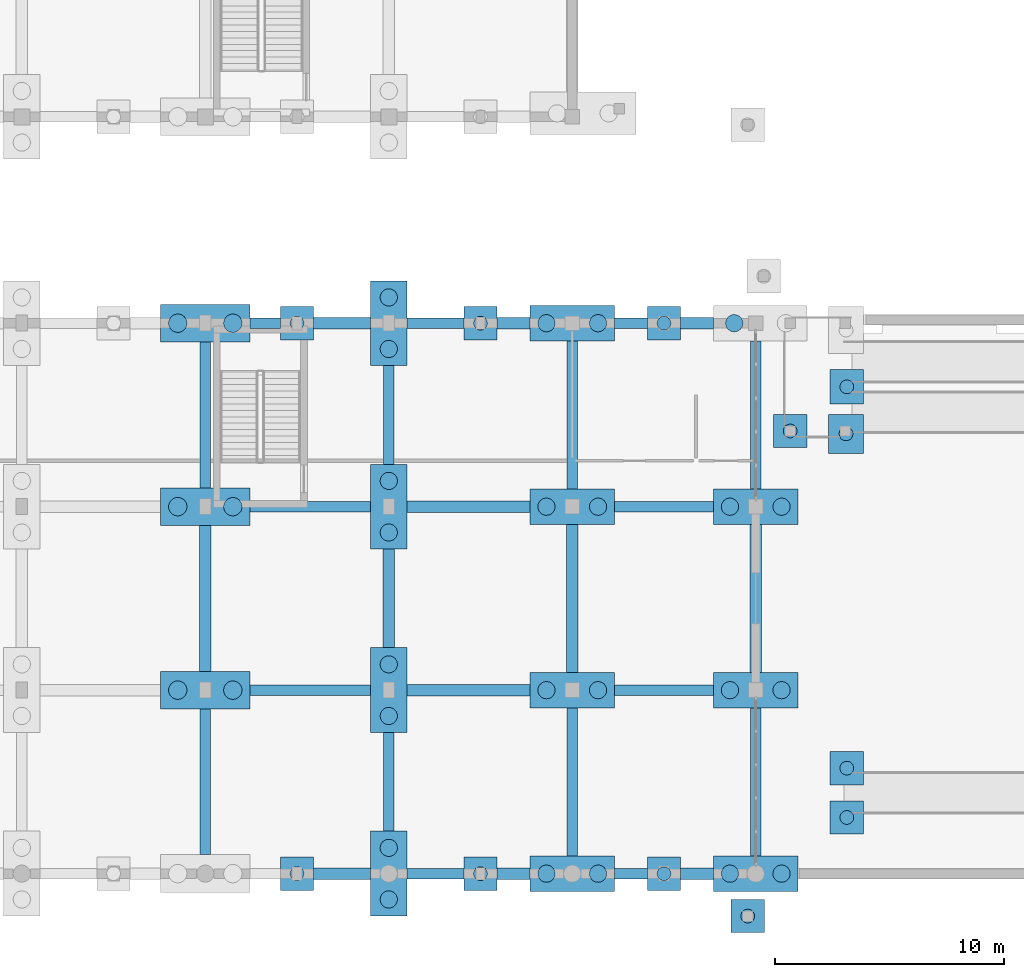
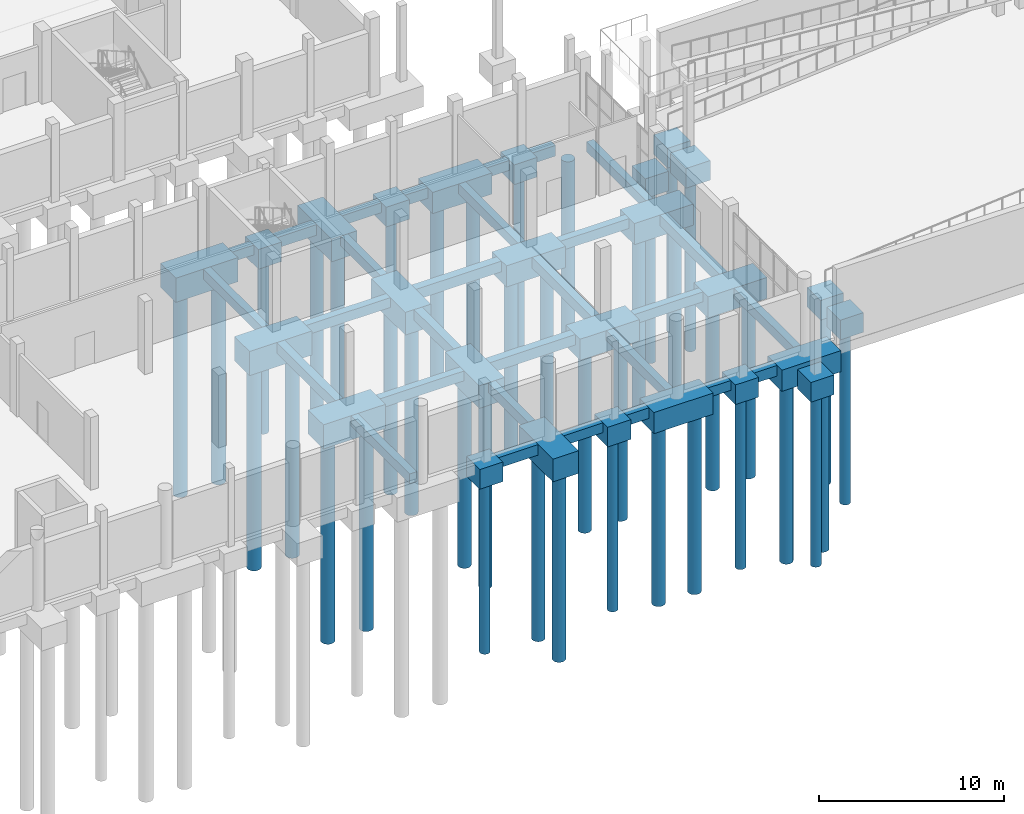
# One storey, part 2 of 52: 55 footings, 41 piles.
"""IFC4 building model written with IfcOpenShell, lengths in metres."""

from ifc_helpers import new_model, si_unit, direction, frame, origin, origin_2d, place, context, subcontext, project, spatial, polyline, rectangle, circle, outline, extrude, material, material_profile, profile_set, type_object, element, save


model = new_model("IFC4")

# Units and contexts
model_context = context("Model", 3, precision=1e-05, world=origin(), true_north=direction((0.0, 1.0)))
body_context = subcontext(model_context, "Body", "Model", "MODEL_VIEW")
ifc_project = project(units=[si_unit("LENGTHUNIT", "METRE"), si_unit("AREAUNIT", "SQUARE_METRE"), si_unit("VOLUMEUNIT", "CUBIC_METRE"), si_unit("PLANEANGLEUNIT", "RADIAN"), si_unit("MASSUNIT", "GRAM", prefix="KILO")], contexts=[model_context])

# Site, building, storey
site_placement = place(None, origin())
site = spatial("IfcSite", under=ifc_project, at=site_placement, CompositionType="ELEMENT")
building_placement = place(site_placement, origin())
building = spatial("IfcBuilding", under=site, at=building_placement, Name="Luwemba Playhouse", CompositionType="ELEMENT")
storey_placement = place(building_placement, frame((0.0, 0.0, -4.800048828125)))
storey = spatial("IfcBuildingStorey", under=building, at=storey_placement, Name="B1", CompositionType="ELEMENT", Elevation=-4.800048828125)

# Footings
ifc_material = material(Name="Concrete C32/40", Category="concrete")
ifc_material_profile_1 = material_profile(ifc_material, rectangle(XDim=0.449951171875, YDim=0.64990234375, at=origin_2d()))
ifc_profile_set_1 = profile_set([ifc_material_profile_1], Name="Concrete C32/40")
footing_type_1 = type_object("IfcFootingType", Name="FTBM-GB1", PredefinedType="FOOTING_BEAM", material=ifc_profile_set_1)
footing_1_placement = place(storey_placement, frame((44.800048828125, 3.0, -0.704833984375), z_axis=(1.0, 0.0, 0.0), x_axis=(0.0, 1.0, 0.0)))
element("IfcFooting", 1, at=footing_1_placement, inside=storey, type_object=footing_type_1, Name="Ground tie-beam 011", PredefinedType="FOOTING_BEAM", context=body_context, shape_type="SweptSolid", body=[
    extrude(rectangle(XDim=0.449951171875, YDim=0.64990234375, at=origin_2d()), origin(), (0.0, 0.0, 1.0), 2.474853515625),
])
footing_2_placement = place(storey_placement, frame((53.85009765625, 3.0, -0.704833984375), z_axis=(1.0, 0.0, 0.0), x_axis=(0.0, 1.0, 0.0)))
element("IfcFooting", 2, at=footing_2_placement, inside=storey, type_object=footing_type_1, Name="Ground tie-beam 013", PredefinedType="FOOTING_BEAM", context=body_context, shape_type="SweptSolid", body=[
    extrude(rectangle(XDim=0.449951171875, YDim=0.64990234375, at=origin_2d()), origin(), (0.0, 0.0, 1.0), 1.4248046875),
])
footing_3_placement = place(storey_placement, frame((37.949951171875, 11.0, -0.704833984375), z_axis=(1.0, 0.0, 0.0), x_axis=(0.0, 1.0, 0.0)))
element("IfcFooting", 3, at=footing_3_placement, inside=storey, type_object=footing_type_1, Name="Ground tie-beam 033", PredefinedType="FOOTING_BEAM", context=body_context, shape_type="SweptSolid", body=[
    extrude(rectangle(XDim=0.449951171875, YDim=0.64990234375, at=origin_2d()), origin(), (0.0, 0.0, 1.0), 5.25),
])
footing_4_placement = place(storey_placement, frame((53.85009765625, 11.0, -0.704833984375), z_axis=(1.0, 0.0, 0.0), x_axis=(0.0, 1.0, 0.0)))
element("IfcFooting", 4, at=footing_4_placement, inside=storey, type_object=footing_type_1, Name="Ground tie-beam 035", PredefinedType="FOOTING_BEAM", context=body_context, shape_type="SweptSolid", body=[
    extrude(rectangle(XDim=0.449951171875, YDim=0.64990234375, at=origin_2d()), origin(), (0.0, 0.0, 1.0), 4.2998046875),
])
footing_5_placement = place(storey_placement, frame((37.949951171875, 19.0, -0.704833984375), z_axis=(1.0, 0.0, 0.0), x_axis=(0.0, 1.0, 0.0)))
element("IfcFooting", 5, at=footing_5_placement, inside=storey, type_object=footing_type_1, Name="Ground tie-beam 047", PredefinedType="FOOTING_BEAM", context=body_context, shape_type="SweptSolid", body=[
    extrude(rectangle(XDim=0.449951171875, YDim=0.64990234375, at=origin_2d()), origin(), (0.0, 0.0, 1.0), 5.25),
])
footing_6_placement = place(storey_placement, frame((53.85009765625, 19.0, -0.704833984375), z_axis=(1.0, 0.0, 0.0), x_axis=(0.0, 1.0, 0.0)))
element("IfcFooting", 6, at=footing_6_placement, inside=storey, type_object=footing_type_1, Name="Ground tie-beam 049", PredefinedType="FOOTING_BEAM", context=body_context, shape_type="SweptSolid", body=[
    extrude(rectangle(XDim=0.449951171875, YDim=0.64990234375, at=origin_2d()), origin(), (0.0, 0.0, 1.0), 4.2998046875),
])
footing_7_placement = place(storey_placement, frame((37.949951171875, 27.0, -0.704833984375), z_axis=(1.0, 0.0, 0.0), x_axis=(0.0, 1.0, 0.0)))
element("IfcFooting", 7, at=footing_7_placement, inside=storey, type_object=footing_type_1, Name="Ground tie-beam 065", PredefinedType="FOOTING_BEAM", context=body_context, shape_type="SweptSolid", body=[
    extrude(rectangle(XDim=0.449951171875, YDim=0.64990234375, at=origin_2d()), origin(), (0.0, 0.0, 1.0), 1.324951171875),
])
footing_8_placement = place(storey_placement, frame((44.800048828125, 27.0, -0.704833984375), z_axis=(1.0, 0.0, 0.0), x_axis=(0.0, 1.0, 0.0)))
element("IfcFooting", 8, at=footing_8_placement, inside=storey, type_object=footing_type_1, Name="Ground tie-beam 067", PredefinedType="FOOTING_BEAM", context=body_context, shape_type="SweptSolid", body=[
    extrude(rectangle(XDim=0.449951171875, YDim=0.64990234375, at=origin_2d()), origin(), (0.0, 0.0, 1.0), 2.474853515625),
])
footing_9_placement = place(storey_placement, frame((53.85009765625, 27.0, -0.704833984375), z_axis=(1.0, 0.0, 0.0), x_axis=(0.0, 1.0, 0.0)))
element("IfcFooting", 9, at=footing_9_placement, inside=storey, type_object=footing_type_1, Name="Ground tie-beam 069", PredefinedType="FOOTING_BEAM", context=body_context, shape_type="SweptSolid", body=[
    extrude(rectangle(XDim=0.449951171875, YDim=0.64990234375, at=origin_2d()), origin(), (0.0, 0.0, 1.0), 1.4248046875),
])
for number, where, z_axis, x_axis, name in (
    (10, (36.0, 3.824951171875, -0.704833984375), (0.0, 1.0, 0.0), (-1.0, 0.0, 0.0), "Ground tie-beam 309"),
    (11, (36.0, 19.824951171875, -0.704833984375), (0.0, 1.0, 0.0), (-1.0, 0.0, 0.0), "Ground tie-beam 311"),
):
    element("IfcFooting", number, at=place(storey_placement, frame(where, z_axis=z_axis, x_axis=x_axis)), inside=storey, type_object=footing_type_1, Name=name, PredefinedType="FOOTING_BEAM", context=body_context, shape_type="SweptSolid", body=[
        extrude(rectangle(XDim=0.449951171875, YDim=0.64990234375, at=origin_2d()), origin(), (0.0, 0.0, 1.0), 6.35009765625),
    ])
for number, where, z_axis, x_axis, name in (
    (12, (44.0, 4.85009765625, -0.704833984375), (0.0, 1.0, 0.0), (-1.0, 0.0, 0.0), "Ground tie-beam 317"),
    (13, (44.0, 20.85009765625, -0.704833984375), (0.0, 1.0, 0.0), (-1.0, 0.0, 0.0), "Ground tie-beam 319"),
):
    element("IfcFooting", number, at=place(storey_placement, frame(where, z_axis=z_axis, x_axis=x_axis)), inside=storey, type_object=footing_type_1, Name=name, PredefinedType="FOOTING_BEAM", context=body_context, shape_type="SweptSolid", body=[
        extrude(rectangle(XDim=0.449951171875, YDim=0.64990234375, at=origin_2d()), origin(), (0.0, 0.0, 1.0), 4.2998046875),
    ])
for number, where, z_axis, x_axis, name in (
    (14, (52.0, 3.77490234375, -0.704833984375), (0.0, 1.0, 0.0), (-1.0, 0.0, 0.0), "Ground tie-beam 329"),
    (15, (52.0, 19.77490234375, -0.704833984375), (0.0, 1.0, 0.0), (-1.0, 0.0, 0.0), "Ground tie-beam 331"),
    (16, (60.0, 3.77490234375, -0.704833984375), (0.0, 1.0, 0.0), (-1.0, 0.0, 0.0), "Ground tie-beam 341"),
    (17, (60.0, 19.77490234375, -0.704833984375), (0.0, 1.0, 0.0), (-1.0, 0.0, 0.0), "Ground tie-beam 343"),
):
    element("IfcFooting", number, at=place(storey_placement, frame(where, z_axis=z_axis, x_axis=x_axis)), inside=storey, type_object=footing_type_1, Name=name, PredefinedType="FOOTING_BEAM", context=body_context, shape_type="SweptSolid", body=[
        extrude(rectangle(XDim=0.449951171875, YDim=0.64990234375, at=origin_2d()), origin(), (0.0, 0.0, 1.0), 6.4501953125),
    ])
ifc_material_profile_2 = material_profile(ifc_material, rectangle(XDim=0.5, YDim=0.699951171875, at=origin_2d()))
ifc_profile_set_2 = profile_set([ifc_material_profile_2], Name="Concrete C32/40")
footing_type_2 = type_object("IfcFootingType", Name="FTBM-GB2", PredefinedType="FOOTING_BEAM", material=ifc_profile_set_2)
footing_10_placement = place(storey_placement, frame((40.72509765625, 3.0, -0.72998046875), z_axis=(1.0, 0.0, 0.0), x_axis=(0.0, 1.0, 0.0)))
element("IfcFooting", 18, at=footing_10_placement, inside=storey, type_object=footing_type_2, Name="Ground tie-beam 010", PredefinedType="FOOTING_BEAM", context=body_context, shape_type="SweptSolid", body=[
    extrude(rectangle(XDim=0.5, YDim=0.699951171875, at=origin_2d()), origin(), (0.0, 0.0, 1.0), 2.474853515625),
])
for number, where, z_axis, x_axis, name in (
    (19, (48.72509765625, 3.0, -0.72998046875), (1.0, 0.0, 0.0), (0.0, 1.0, 0.0), "Ground tie-beam 012"),
    (20, (56.72509765625, 3.0, -0.72998046875), (1.0, 0.0, 0.0), (0.0, 1.0, 0.0), "Ground tie-beam 014"),
):
    element("IfcFooting", number, at=place(storey_placement, frame(where, z_axis=z_axis, x_axis=x_axis)), inside=storey, type_object=footing_type_2, Name=name, PredefinedType="FOOTING_BEAM", context=body_context, shape_type="SweptSolid", body=[
        extrude(rectangle(XDim=0.5, YDim=0.699951171875, at=origin_2d()), origin(), (0.0, 0.0, 1.0), 1.4248046875),
    ])
for number, where, z_axis, x_axis, name in (
    (21, (44.800048828125, 11.0, -0.72998046875), (1.0, 0.0, 0.0), (0.0, 1.0, 0.0), "Ground tie-beam 034"),
    (22, (44.800048828125, 19.0, -0.72998046875), (1.0, 0.0, 0.0), (0.0, 1.0, 0.0), "Ground tie-beam 048"),
):
    element("IfcFooting", number, at=place(storey_placement, frame(where, z_axis=z_axis, x_axis=x_axis)), inside=storey, type_object=footing_type_2, Name=name, PredefinedType="FOOTING_BEAM", context=body_context, shape_type="SweptSolid", body=[
        extrude(rectangle(XDim=0.5, YDim=0.699951171875, at=origin_2d()), origin(), (0.0, 0.0, 1.0), 5.349853515625),
    ])
footing_11_placement = place(storey_placement, frame((40.72509765625, 27.0, -0.72998046875), z_axis=(1.0, 0.0, 0.0), x_axis=(0.0, 1.0, 0.0)))
element("IfcFooting", 23, at=footing_11_placement, inside=storey, type_object=footing_type_2, Name="Ground tie-beam 066", PredefinedType="FOOTING_BEAM", context=body_context, shape_type="SweptSolid", body=[
    extrude(rectangle(XDim=0.5, YDim=0.699951171875, at=origin_2d()), origin(), (0.0, 0.0, 1.0), 2.474853515625),
])
for number, where, z_axis, x_axis, name in (
    (24, (48.72509765625, 27.0, -0.72998046875), (1.0, 0.0, 0.0), (0.0, 1.0, 0.0), "Ground tie-beam 068"),
    (25, (56.72509765625, 27.0, -0.72998046875), (1.0, 0.0, 0.0), (0.0, 1.0, 0.0), "Ground tie-beam 070"),
):
    element("IfcFooting", number, at=place(storey_placement, frame(where, z_axis=z_axis, x_axis=x_axis)), inside=storey, type_object=footing_type_2, Name=name, PredefinedType="FOOTING_BEAM", context=body_context, shape_type="SweptSolid", body=[
        extrude(rectangle(XDim=0.5, YDim=0.699951171875, at=origin_2d()), origin(), (0.0, 0.0, 1.0), 1.4248046875),
    ])
footing_12_placement = place(storey_placement, frame((36.0, 11.824951171875, -0.72998046875), z_axis=(0.0, 1.0, 0.0), x_axis=(-1.0, 0.0, 0.0)))
element("IfcFooting", 26, at=footing_12_placement, inside=storey, type_object=footing_type_2, Name="Ground tie-beam 310", PredefinedType="FOOTING_BEAM", context=body_context, shape_type="SweptSolid", body=[
    extrude(rectangle(XDim=0.5, YDim=0.699951171875, at=origin_2d()), origin(), (0.0, 0.0, 1.0), 6.35009765625),
])
footing_13_placement = place(storey_placement, frame((44.0, 12.85009765625, -0.72998046875), z_axis=(0.0, 1.0, 0.0), x_axis=(-1.0, 0.0, 0.0)))
element("IfcFooting", 27, at=footing_13_placement, inside=storey, type_object=footing_type_2, Name="Ground tie-beam 318", PredefinedType="FOOTING_BEAM", context=body_context, shape_type="SweptSolid", body=[
    extrude(rectangle(XDim=0.5, YDim=0.699951171875, at=origin_2d()), origin(), (0.0, 0.0, 1.0), 4.2998046875),
])
for number, where, z_axis, x_axis, name in (
    (28, (52.0, 11.77490234375, -0.72998046875), (0.0, 1.0, 0.0), (-1.0, 0.0, 0.0), "Ground tie-beam 330"),
    (29, (60.0, 11.77490234375, -0.72998046875), (0.0, 1.0, 0.0), (-1.0, 0.0, 0.0), "Ground tie-beam 342"),
):
    element("IfcFooting", number, at=place(storey_placement, frame(where, z_axis=z_axis, x_axis=x_axis)), inside=storey, type_object=footing_type_2, Name=name, PredefinedType="FOOTING_BEAM", context=body_context, shape_type="SweptSolid", body=[
        extrude(rectangle(XDim=0.5, YDim=0.699951171875, at=origin_2d()), origin(), (0.0, 0.0, 1.0), 6.4501953125),
    ])
footing_type_3 = type_object("IfcFootingType", Name="FTG-PC02", PredefinedType="PILE_CAP", material=ifc_material)
footing_14_placement = place(storey_placement, frame((0.0, 0.0, -1.679931640625)))
element("IfcFooting", 30, at=footing_14_placement, inside=storey, type_object=footing_type_3, Name="Pile cap 002", PredefinedType="PILE_CAP", context=body_context, shape_type="SweptSolid", body=[
    extrude(outline(polyline([(58.925048828125, 0.425048828125), (60.375, 0.425048828125), (60.375, 1.875), (58.925048828125, 1.875), (58.925048828125, 0.425048828125)])), origin(), (0.0, 0.0, 1.0), 1.300048828125),
])
footing_15_placement = place(storey_placement, frame((0.0, 0.0, -1.679931640625)))
element("IfcFooting", 31, at=footing_15_placement, inside=storey, type_object=footing_type_3, Name="Pile cap 024", PredefinedType="PILE_CAP", context=body_context, shape_type="SweptSolid", body=[
    extrude(outline(polyline([(39.27490234375, 2.27490234375), (40.72509765625, 2.27490234375), (40.72509765625, 3.72509765625), (39.27490234375, 3.72509765625), (39.27490234375, 2.27490234375)])), origin(), (0.0, 0.0, 1.0), 1.300048828125),
])
footing_16_placement = place(storey_placement, frame((0.0, 0.0, -1.679931640625)))
element("IfcFooting", 32, at=footing_16_placement, inside=storey, type_object=footing_type_3, Name="Pile cap 025", PredefinedType="PILE_CAP", context=body_context, shape_type="SweptSolid", body=[
    extrude(outline(polyline([(47.27490234375, 2.27490234375), (48.72509765625, 2.27490234375), (48.72509765625, 3.72509765625), (47.27490234375, 3.72509765625), (47.27490234375, 2.27490234375)])), origin(), (0.0, 0.0, 1.0), 1.300048828125),
])
footing_17_placement = place(storey_placement, frame((0.0, 0.0, -1.679931640625)))
element("IfcFooting", 33, at=footing_17_placement, inside=storey, type_object=footing_type_3, Name="Pile cap 026", PredefinedType="PILE_CAP", context=body_context, shape_type="SweptSolid", body=[
    extrude(outline(polyline([(55.27490234375, 2.27490234375), (56.72509765625, 2.27490234375), (56.72509765625, 3.72509765625), (55.27490234375, 3.72509765625), (55.27490234375, 2.27490234375)])), origin(), (0.0, 0.0, 1.0), 1.300048828125),
])
footing_18_placement = place(storey_placement, frame((0.0, 0.0, -1.679931640625)))
element("IfcFooting", 34, at=footing_18_placement, inside=storey, type_object=footing_type_3, Name="Pile cap 034", PredefinedType="PILE_CAP", context=body_context, shape_type="SweptSolid", body=[
    extrude(outline(polyline([(63.2451171875, 4.72509765625), (64.695068359375, 4.72509765625), (64.695068359375, 6.175048828125), (63.2451171875, 6.175048828125), (63.2451171875, 4.72509765625)])), origin(), (0.0, 0.0, 1.0), 1.300048828125),
])
footing_19_placement = place(storey_placement, frame((0.0, 0.0, -1.679931640625)))
element("IfcFooting", 35, at=footing_19_placement, inside=storey, type_object=footing_type_3, Name="Pile cap 039", PredefinedType="PILE_CAP", context=body_context, shape_type="SweptSolid", body=[
    extrude(outline(polyline([(63.2451171875, 6.875), (64.695068359375, 6.875), (64.695068359375, 8.324951171875), (63.2451171875, 8.324951171875), (63.2451171875, 6.875)])), origin(), (0.0, 0.0, 1.0), 1.300048828125),
])
footing_20_placement = place(storey_placement, frame((0.0, 0.0, -1.679931640625)))
element("IfcFooting", 36, at=footing_20_placement, inside=storey, type_object=footing_type_3, Name="Pile cap 085", PredefinedType="PILE_CAP", context=body_context, shape_type="SweptSolid", body=[
    extrude(outline(polyline([(60.77490234375, 21.574951171875), (62.22509765625, 21.574951171875), (62.22509765625, 23.02490234375), (60.77490234375, 23.02490234375), (60.77490234375, 21.574951171875)])), origin(), (0.0, 0.0, 1.0), 1.300048828125),
])
footing_21_placement = place(storey_placement, frame((0.0, 0.0, -1.679931640625)))
element("IfcFooting", 37, at=footing_21_placement, inside=storey, type_object=footing_type_3, Name="Pile cap 112", PredefinedType="PILE_CAP", context=body_context, shape_type="SweptSolid", body=[
    extrude(outline(polyline([(39.27490234375, 26.27490234375), (40.72509765625, 26.27490234375), (40.72509765625, 27.72509765625), (39.27490234375, 27.72509765625), (39.27490234375, 26.27490234375)])), origin(), (0.0, 0.0, 1.0), 1.300048828125),
])
footing_22_placement = place(storey_placement, frame((0.0, 0.0, -1.679931640625)))
element("IfcFooting", 38, at=footing_22_placement, inside=storey, type_object=footing_type_3, Name="Pile cap 113", PredefinedType="PILE_CAP", context=body_context, shape_type="SweptSolid", body=[
    extrude(outline(polyline([(47.27490234375, 26.27490234375), (48.72509765625, 26.27490234375), (48.72509765625, 27.72509765625), (47.27490234375, 27.72509765625), (47.27490234375, 26.27490234375)])), origin(), (0.0, 0.0, 1.0), 1.300048828125),
])
footing_23_placement = place(storey_placement, frame((0.0, 0.0, -1.679931640625)))
element("IfcFooting", 39, at=footing_23_placement, inside=storey, type_object=footing_type_3, Name="Pile cap 114", PredefinedType="PILE_CAP", context=body_context, shape_type="SweptSolid", body=[
    extrude(outline(polyline([(55.27490234375, 26.27490234375), (56.72509765625, 26.27490234375), (56.72509765625, 27.72509765625), (55.27490234375, 27.72509765625), (55.27490234375, 26.27490234375)])), origin(), (0.0, 0.0, 1.0), 1.300048828125),
])
footing_type_4 = type_object("IfcFootingType", Name="FTG-PC03", PredefinedType="PILE_CAP", material=ifc_material)
footing_24_placement = place(storey_placement, frame((0.0, 0.0, -1.8798828125)))
element("IfcFooting", 40, at=footing_24_placement, inside=storey, type_object=footing_type_4, Name="Pile cap 007", PredefinedType="PILE_CAP", context=body_context, shape_type="SweptSolid", body=[
    extrude(outline(polyline([(43.199951171875, 1.14990234375), (44.800048828125, 1.14990234375), (44.800048828125, 4.85009765625), (43.199951171875, 4.85009765625), (43.199951171875, 1.14990234375)])), origin(), (0.0, 0.0, 1.0), 1.5),
])
footing_25_placement = place(storey_placement, frame((0.0, 0.0, -1.8798828125)))
element("IfcFooting", 41, at=footing_25_placement, inside=storey, type_object=footing_type_4, Name="Pile cap 048", PredefinedType="PILE_CAP", context=body_context, shape_type="SweptSolid", body=[
    extrude(outline(polyline([(43.199951171875, 9.14990234375), (44.800048828125, 9.14990234375), (44.800048828125, 12.85009765625), (43.199951171875, 12.85009765625), (43.199951171875, 9.14990234375)])), origin(), (0.0, 0.0, 1.0), 1.5),
])
footing_26_placement = place(storey_placement, frame((0.0, 0.0, -1.8798828125)))
element("IfcFooting", 42, at=footing_26_placement, inside=storey, type_object=footing_type_4, Name="Pile cap 066", PredefinedType="PILE_CAP", context=body_context, shape_type="SweptSolid", body=[
    extrude(outline(polyline([(43.199951171875, 17.14990234375), (44.800048828125, 17.14990234375), (44.800048828125, 20.85009765625), (43.199951171875, 20.85009765625), (43.199951171875, 17.14990234375)])), origin(), (0.0, 0.0, 1.0), 1.5),
])
footing_27_placement = place(storey_placement, frame((0.0, 0.0, -1.8798828125)))
element("IfcFooting", 43, at=footing_27_placement, inside=storey, type_object=footing_type_4, Name="Pile cap 092", PredefinedType="PILE_CAP", context=body_context, shape_type="SweptSolid", body=[
    extrude(outline(polyline([(43.199951171875, 25.14990234375), (44.800048828125, 25.14990234375), (44.800048828125, 28.85009765625), (43.199951171875, 28.85009765625), (43.199951171875, 25.14990234375)])), origin(), (0.0, 0.0, 1.0), 1.5),
])
footing_type_5 = type_object("IfcFootingType", Name="FTG-PC04", PredefinedType="PILE_CAP", material=ifc_material)
footing_28_placement = place(storey_placement, frame((0.0, 0.0, -1.97998046875)))
element("IfcFooting", 44, at=footing_28_placement, inside=storey, type_object=footing_type_5, Name="Pile cap 052", PredefinedType="PILE_CAP", context=body_context, shape_type="SweptSolid", body=[
    extrude(outline(polyline([(34.050048828125, 10.175048828125), (37.949951171875, 10.175048828125), (37.949951171875, 11.824951171875), (34.050048828125, 11.824951171875), (34.050048828125, 10.175048828125)])), origin(), (0.0, 0.0, 1.0), 1.60009765625),
])
footing_29_placement = place(storey_placement, frame((0.0, 0.0, -1.97998046875)))
element("IfcFooting", 45, at=footing_29_placement, inside=storey, type_object=footing_type_5, Name="Pile cap 071", PredefinedType="PILE_CAP", context=body_context, shape_type="SweptSolid", body=[
    extrude(outline(polyline([(34.050048828125, 18.175048828125), (37.949951171875, 18.175048828125), (37.949951171875, 19.824951171875), (34.050048828125, 19.824951171875), (34.050048828125, 18.175048828125)])), origin(), (0.0, 0.0, 1.0), 1.60009765625),
])
footing_30_placement = place(storey_placement, frame((0.0, 0.0, -1.97998046875)))
element("IfcFooting", 46, at=footing_30_placement, inside=storey, type_object=footing_type_5, Name="Pile cap 098", PredefinedType="PILE_CAP", context=body_context, shape_type="SweptSolid", body=[
    extrude(outline(polyline([(34.050048828125, 26.175048828125), (37.949951171875, 26.175048828125), (37.949951171875, 27.824951171875), (34.050048828125, 27.824951171875), (34.050048828125, 26.175048828125)])), origin(), (0.0, 0.0, 1.0), 1.60009765625),
])
footing_type_6 = type_object("IfcFootingType", Name="FTG-PC05", PredefinedType="PILE_CAP", material=ifc_material)
footing_31_placement = place(storey_placement, frame((0.0, 0.0, -1.780029296875)))
element("IfcFooting", 47, at=footing_31_placement, inside=storey, type_object=footing_type_6, Name="Pile cap 010", PredefinedType="PILE_CAP", context=body_context, shape_type="SweptSolid", body=[
    extrude(outline(polyline([(50.14990234375, 2.22509765625), (53.85009765625, 2.22509765625), (53.85009765625, 3.77490234375), (50.14990234375, 3.77490234375), (50.14990234375, 2.22509765625)])), origin(), (0.0, 0.0, 1.0), 1.400146484375),
])
footing_32_placement = place(storey_placement, frame((0.0, 0.0, -1.780029296875)))
element("IfcFooting", 48, at=footing_32_placement, inside=storey, type_object=footing_type_6, Name="Pile cap 011", PredefinedType="PILE_CAP", context=body_context, shape_type="SweptSolid", body=[
    extrude(outline(polyline([(58.14990234375, 2.22509765625), (61.85009765625, 2.22509765625), (61.85009765625, 3.77490234375), (58.14990234375, 3.77490234375), (58.14990234375, 2.22509765625)])), origin(), (0.0, 0.0, 1.0), 1.400146484375),
])
footing_33_placement = place(storey_placement, frame((0.0, 0.0, -1.780029296875)))
element("IfcFooting", 49, at=footing_33_placement, inside=storey, type_object=footing_type_6, Name="Pile cap 053", PredefinedType="PILE_CAP", context=body_context, shape_type="SweptSolid", body=[
    extrude(outline(polyline([(50.14990234375, 10.22509765625), (53.85009765625, 10.22509765625), (53.85009765625, 11.77490234375), (50.14990234375, 11.77490234375), (50.14990234375, 10.22509765625)])), origin(), (0.0, 0.0, 1.0), 1.400146484375),
])
footing_34_placement = place(storey_placement, frame((0.0, 0.0, -1.780029296875)))
element("IfcFooting", 50, at=footing_34_placement, inside=storey, type_object=footing_type_6, Name="Pile cap 054", PredefinedType="PILE_CAP", context=body_context, shape_type="SweptSolid", body=[
    extrude(outline(polyline([(58.14990234375, 10.22509765625), (61.85009765625, 10.22509765625), (61.85009765625, 11.77490234375), (58.14990234375, 11.77490234375), (58.14990234375, 10.22509765625)])), origin(), (0.0, 0.0, 1.0), 1.400146484375),
])
footing_35_placement = place(storey_placement, frame((0.0, 0.0, -1.780029296875)))
element("IfcFooting", 51, at=footing_35_placement, inside=storey, type_object=footing_type_6, Name="Pile cap 072", PredefinedType="PILE_CAP", context=body_context, shape_type="SweptSolid", body=[
    extrude(outline(polyline([(50.14990234375, 18.22509765625), (53.85009765625, 18.22509765625), (53.85009765625, 19.77490234375), (50.14990234375, 19.77490234375), (50.14990234375, 18.22509765625)])), origin(), (0.0, 0.0, 1.0), 1.400146484375),
])
footing_36_placement = place(storey_placement, frame((0.0, 0.0, -1.780029296875)))
element("IfcFooting", 52, at=footing_36_placement, inside=storey, type_object=footing_type_6, Name="Pile cap 073", PredefinedType="PILE_CAP", context=body_context, shape_type="SweptSolid", body=[
    extrude(outline(polyline([(58.14990234375, 18.22509765625), (61.85009765625, 18.22509765625), (61.85009765625, 19.77490234375), (58.14990234375, 19.77490234375), (58.14990234375, 18.22509765625)])), origin(), (0.0, 0.0, 1.0), 1.400146484375),
])
footing_37_placement = place(storey_placement, frame((0.0, 0.0, -1.780029296875)))
element("IfcFooting", 53, at=footing_37_placement, inside=storey, type_object=footing_type_6, Name="Pile cap 099", PredefinedType="PILE_CAP", context=body_context, shape_type="SweptSolid", body=[
    extrude(outline(polyline([(50.14990234375, 26.22509765625), (53.85009765625, 26.22509765625), (53.85009765625, 27.77490234375), (50.14990234375, 27.77490234375), (50.14990234375, 26.22509765625)])), origin(), (0.0, 0.0, 1.0), 1.400146484375),
])
footing_type_7 = type_object("IfcFootingType", Name="FTG-PC08", PredefinedType="PILE_CAP", material=ifc_material)
footing_38_placement = place(storey_placement, frame((0.0, 0.0, -1.679931640625)))
element("IfcFooting", 54, at=footing_38_placement, inside=storey, type_object=footing_type_7, Name="Pile cap 084", PredefinedType="PILE_CAP", context=body_context, shape_type="SweptSolid", body=[
    extrude(outline(polyline([(63.175048828125, 21.324951171875), (64.695068359375, 21.324951171875), (64.695068359375, 23.02490234375), (63.175048828125, 23.02490234375), (63.175048828125, 21.324951171875)])), origin(), (0.0, 0.0, 1.0), 1.300048828125),
])
footing_type_8 = type_object("IfcFootingType", Name="FTG-PC10", PredefinedType="PILE_CAP", material=ifc_material)
footing_39_placement = place(storey_placement, frame((0.0, 0.0, -1.679931640625)))
element("IfcFooting", 55, at=footing_39_placement, inside=storey, type_object=footing_type_8, Name="Pile cap 087", PredefinedType="PILE_CAP", context=body_context, shape_type="SweptSolid", body=[
    extrude(outline(polyline([(63.2451171875, 23.47509765625), (64.695068359375, 23.47509765625), (64.695068359375, 24.97509765625), (63.2451171875, 24.97509765625), (63.2451171875, 23.47509765625)])), origin(), (0.0, 0.0, 1.0), 1.300048828125),
])

# Piles
ifc_material_profile_3 = material_profile(ifc_material, circle(Radius=0.300048828125, at=origin_2d()))
ifc_profile_set_3 = profile_set([ifc_material_profile_3], Name="Concrete C32/40")
pile_type_1 = type_object("IfcPileType", Name="PILE-BP1", PredefinedType="BORED", material=ifc_profile_set_3)
for number, where, z_axis, x_axis, name in (
    (56, (59.64990234375, 1.14990234375, -1.579833984375), (0.0, 0.0, -1.0), (1.0, 0.0, 0.0), "Bored pile 003"),
    (57, (40.0, 3.0, -1.579833984375), (0.0, 0.0, -1.0), (1.0, 0.0, 0.0), "Bored pile 040"),
    (58, (48.0, 3.0, -1.579833984375), (0.0, 0.0, -1.0), (1.0, 0.0, 0.0), "Bored pile 041"),
    (59, (56.0, 3.0, -1.579833984375), (0.0, 0.0, -1.0), (1.0, 0.0, 0.0), "Bored pile 042"),
    (60, (63.969970703125, 5.449951171875, -1.579833984375), (0.0, 0.0, -1.0), (1.0, 0.0, 0.0), "Bored pile 050"),
    (61, (63.969970703125, 7.60009765625, -1.579833984375), (0.0, 0.0, -1.0), (1.0, 0.0, 0.0), "Bored pile 057"),
    (62, (63.93505859375, 22.175048828125, -1.579833984375), (0.0, 0.0, -1.0), (1.0, 0.0, 0.0), "Bored pile 137"),
    (63, (61.5, 22.300048828125, -1.579833984375), (0.0, 0.0, -1.0), (1.0, 0.0, 0.0), "Bored pile 138"),
    (64, (63.969970703125, 24.22509765625, -1.579833984375), (0.0, 0.0, -1.0), (1.0, 0.0, 0.0), "Bored pile 140"),
    (65, (40.0, 27.0, -1.579833984375), (0.0, 0.0, -1.0), (1.0, 0.0, 0.0), "Bored pile 184"),
    (66, (48.0, 27.0, -1.579833984375), (0.0, 0.0, -1.0), (1.0, 0.0, 0.0), "Bored pile 185"),
    (67, (56.0, 27.0, -1.579833984375), (0.0, 0.0, -1.0), (1.0, 0.0, 0.0), "Bored pile 186"),
):
    element("IfcPile", number, at=place(storey_placement, frame(where, z_axis=z_axis, x_axis=x_axis)), inside=storey, type_object=pile_type_1, Name=name, PredefinedType="BORED", context=body_context, shape_type="SweptSolid", body=[
        extrude(circle(Radius=0.300048828125, at=origin_2d()), origin(), (0.0, 0.0, 1.0), 11.5),
    ])
ifc_material_profile_4 = material_profile(ifc_material, circle(Radius=0.375, at=origin_2d()))
ifc_profile_set_4 = profile_set([ifc_material_profile_4], Name="Concrete C32/40")
pile_type_2 = type_object("IfcPileType", Name="PILE-BP2", PredefinedType="BORED", material=ifc_profile_set_4)
for number, where, z_axis, x_axis, name in (
    (68, (44.0, 1.875, -1.780029296875), (0.0, 0.0, -1.0), (1.0, 0.0, 0.0), "Bored pile 010"),
    (69, (44.0, 4.125, -1.780029296875), (0.0, 0.0, -1.0), (1.0, 0.0, 0.0), "Bored pile 011"),
):
    element("IfcPile", number, at=place(storey_placement, frame(where, z_axis=z_axis, x_axis=x_axis)), inside=storey, type_object=pile_type_2, Name=name, PredefinedType="BORED", context=body_context, shape_type="SweptSolid", body=[
        extrude(circle(Radius=0.375, at=origin_2d()), origin(), (0.0, 0.0, 1.0), 12.5),
    ])
for number, where, z_axis, x_axis, name in (
    (70, (50.875, 3.0, -1.679931640625), (0.0, 0.0, -1.0), (1.0, 0.0, 0.0), "Bored pile 016"),
    (71, (53.125, 3.0, -1.679931640625), (0.0, 0.0, -1.0), (1.0, 0.0, 0.0), "Bored pile 017"),
    (72, (58.875, 3.0, -1.679931640625), (0.0, 0.0, -1.0), (1.0, 0.0, 0.0), "Bored pile 018"),
    (73, (61.125, 3.0, -1.679931640625), (0.0, 0.0, -1.0), (1.0, 0.0, 0.0), "Bored pile 019"),
):
    element("IfcPile", number, at=place(storey_placement, frame(where, z_axis=z_axis, x_axis=x_axis)), inside=storey, type_object=pile_type_2, Name=name, PredefinedType="BORED", context=body_context, shape_type="SweptSolid", body=[
        extrude(circle(Radius=0.375, at=origin_2d()), origin(), (0.0, 0.0, 1.0), 12.0),
    ])
for number, where, z_axis, x_axis, name in (
    (74, (44.0, 9.875, -1.780029296875), (0.0, 0.0, -1.0), (1.0, 0.0, 0.0), "Bored pile 068"),
    (75, (44.0, 12.125, -1.780029296875), (0.0, 0.0, -1.0), (1.0, 0.0, 0.0), "Bored pile 069"),
):
    element("IfcPile", number, at=place(storey_placement, frame(where, z_axis=z_axis, x_axis=x_axis)), inside=storey, type_object=pile_type_2, Name=name, PredefinedType="BORED", context=body_context, shape_type="SweptSolid", body=[
        extrude(circle(Radius=0.375, at=origin_2d()), origin(), (0.0, 0.0, 1.0), 12.5),
    ])
for number, where, z_axis, x_axis, name in (
    (76, (50.875, 11.0, -1.679931640625), (0.0, 0.0, -1.0), (1.0, 0.0, 0.0), "Bored pile 078"),
    (77, (53.125, 11.0, -1.679931640625), (0.0, 0.0, -1.0), (1.0, 0.0, 0.0), "Bored pile 079"),
    (78, (58.875, 11.0, -1.679931640625), (0.0, 0.0, -1.0), (1.0, 0.0, 0.0), "Bored pile 080"),
    (79, (61.125, 11.0, -1.679931640625), (0.0, 0.0, -1.0), (1.0, 0.0, 0.0), "Bored pile 081"),
):
    element("IfcPile", number, at=place(storey_placement, frame(where, z_axis=z_axis, x_axis=x_axis)), inside=storey, type_object=pile_type_2, Name=name, PredefinedType="BORED", context=body_context, shape_type="SweptSolid", body=[
        extrude(circle(Radius=0.375, at=origin_2d()), origin(), (0.0, 0.0, 1.0), 12.0),
    ])
for number, where, z_axis, x_axis, name in (
    (80, (44.0, 17.875, -1.780029296875), (0.0, 0.0, -1.0), (1.0, 0.0, 0.0), "Bored pile 102"),
    (81, (44.0, 20.125, -1.780029296875), (0.0, 0.0, -1.0), (1.0, 0.0, 0.0), "Bored pile 103"),
):
    element("IfcPile", number, at=place(storey_placement, frame(where, z_axis=z_axis, x_axis=x_axis)), inside=storey, type_object=pile_type_2, Name=name, PredefinedType="BORED", context=body_context, shape_type="SweptSolid", body=[
        extrude(circle(Radius=0.375, at=origin_2d()), origin(), (0.0, 0.0, 1.0), 12.5),
    ])
for number, where, z_axis, x_axis, name in (
    (82, (50.875, 19.0, -1.679931640625), (0.0, 0.0, -1.0), (1.0, 0.0, 0.0), "Bored pile 112"),
    (83, (53.125, 19.0, -1.679931640625), (0.0, 0.0, -1.0), (1.0, 0.0, 0.0), "Bored pile 113"),
    (84, (58.875, 19.0, -1.679931640625), (0.0, 0.0, -1.0), (1.0, 0.0, 0.0), "Bored pile 114"),
    (85, (61.125, 19.0, -1.679931640625), (0.0, 0.0, -1.0), (1.0, 0.0, 0.0), "Bored pile 115"),
):
    element("IfcPile", number, at=place(storey_placement, frame(where, z_axis=z_axis, x_axis=x_axis)), inside=storey, type_object=pile_type_2, Name=name, PredefinedType="BORED", context=body_context, shape_type="SweptSolid", body=[
        extrude(circle(Radius=0.375, at=origin_2d()), origin(), (0.0, 0.0, 1.0), 12.0),
    ])
for number, where, z_axis, x_axis, name in (
    (86, (44.0, 25.875, -1.780029296875), (0.0, 0.0, -1.0), (1.0, 0.0, 0.0), "Bored pile 150"),
    (87, (44.0, 28.125, -1.780029296875), (0.0, 0.0, -1.0), (1.0, 0.0, 0.0), "Bored pile 151"),
):
    element("IfcPile", number, at=place(storey_placement, frame(where, z_axis=z_axis, x_axis=x_axis)), inside=storey, type_object=pile_type_2, Name=name, PredefinedType="BORED", context=body_context, shape_type="SweptSolid", body=[
        extrude(circle(Radius=0.375, at=origin_2d()), origin(), (0.0, 0.0, 1.0), 12.5),
    ])
for number, where, z_axis, x_axis, name in (
    (88, (50.875, 27.0, -1.679931640625), (0.0, 0.0, -1.0), (1.0, 0.0, 0.0), "Bored pile 162"),
    (89, (53.125, 27.0, -1.679931640625), (0.0, 0.0, -1.0), (1.0, 0.0, 0.0), "Bored pile 163"),
    (90, (59.0625, 27.0, -1.679931640625), (0.0, 0.0, -1.0), (1.0, 0.0, 0.0), "Bored pile 164"),
):
    element("IfcPile", number, at=place(storey_placement, frame(where, z_axis=z_axis, x_axis=x_axis)), inside=storey, type_object=pile_type_2, Name=name, PredefinedType="BORED", context=body_context, shape_type="SweptSolid", body=[
        extrude(circle(Radius=0.375, at=origin_2d()), origin(), (0.0, 0.0, 1.0), 12.0),
    ])
ifc_material_profile_5 = material_profile(ifc_material, circle(Radius=0.39990234375, at=origin_2d()))
ifc_profile_set_5 = profile_set([ifc_material_profile_5], Name="Concrete C32/40")
pile_type_3 = type_object("IfcPileType", Name="PILE-BP3", PredefinedType="BORED", material=ifc_profile_set_5)
for number, where, z_axis, x_axis, name in (
    (91, (34.800048828125, 11.0, -1.8798828125), (0.0, 0.0, -1.0), (1.0, 0.0, 0.0), "Bored pile 076"),
    (92, (37.199951171875, 11.0, -1.8798828125), (0.0, 0.0, -1.0), (1.0, 0.0, 0.0), "Bored pile 077"),
    (93, (34.800048828125, 19.0, -1.8798828125), (0.0, 0.0, -1.0), (1.0, 0.0, 0.0), "Bored pile 110"),
    (94, (37.199951171875, 19.0, -1.8798828125), (0.0, 0.0, -1.0), (1.0, 0.0, 0.0), "Bored pile 111"),
    (95, (34.800048828125, 27.0, -1.8798828125), (0.0, 0.0, -1.0), (1.0, 0.0, 0.0), "Bored pile 160"),
    (96, (37.199951171875, 27.0, -1.8798828125), (0.0, 0.0, -1.0), (1.0, 0.0, 0.0), "Bored pile 161"),
):
    element("IfcPile", number, at=place(storey_placement, frame(where, z_axis=z_axis, x_axis=x_axis)), inside=storey, type_object=pile_type_3, Name=name, PredefinedType="BORED", context=body_context, shape_type="SweptSolid", body=[
        extrude(circle(Radius=0.39990234375, at=origin_2d()), origin(), (0.0, 0.0, 1.0), 13.5),
    ])

save(model, "model.ifc")
